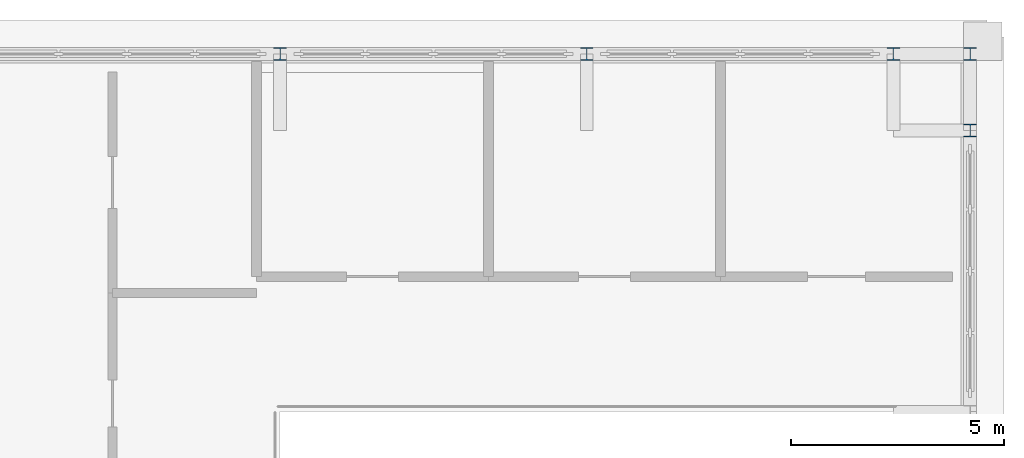
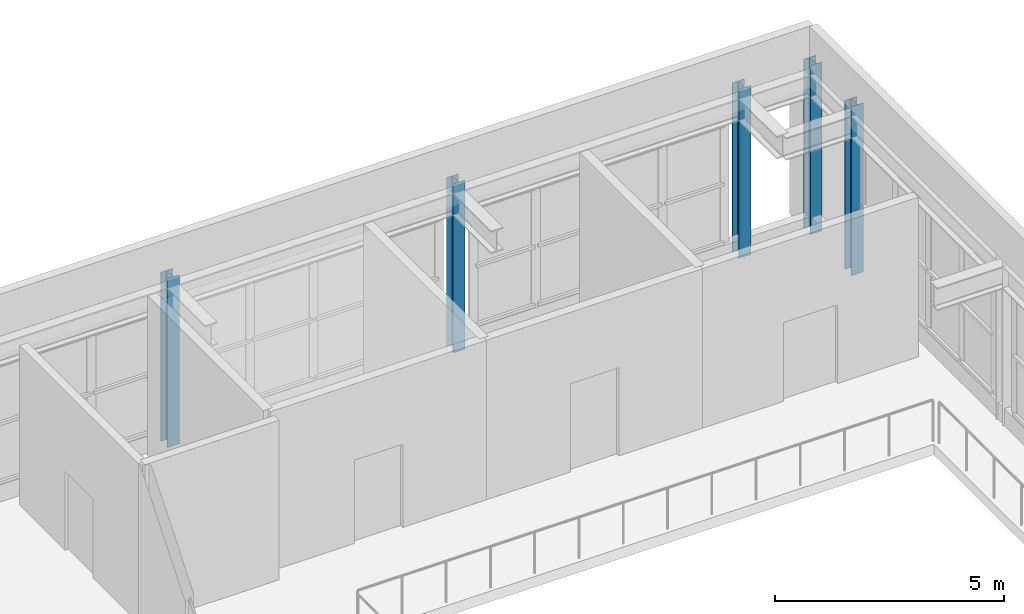
# One storey, part 4 of 18: 5 columns.
"""IFC4 building model written with IfcOpenShell, lengths in metres."""

from ifc_helpers import new_model, si_unit, direction, frame, origin, origin_2d, place, context, subcontext, project, spatial, i_section, extrude, material, material_profile, profile_set, type_object, element, save


model = new_model("IFC4")

# Units and contexts
model_context = context("Model", 3, precision=1e-05, world=origin(), true_north=direction((0.0, 1.0)))
body_context = subcontext(model_context, "Body", "Model", "MODEL_VIEW")
ifc_project = project(units=[si_unit("LENGTHUNIT", "METRE"), si_unit("AREAUNIT", "SQUARE_METRE"), si_unit("VOLUMEUNIT", "CUBIC_METRE"), si_unit("PLANEANGLEUNIT", "RADIAN"), si_unit("MASSUNIT", "GRAM", prefix="KILO")], contexts=[model_context])

# Site, building, storey
site_placement = place(None, origin())
site = spatial("IfcSite", under=ifc_project, at=site_placement, CompositionType="ELEMENT")
building_placement = place(site_placement, origin())
building = spatial("IfcBuilding", under=site, at=building_placement, Name="Mithqara Police Headquarters", CompositionType="ELEMENT")
storey_placement = place(building_placement, frame((0.0, 0.0, 30.89990234375)))
storey = spatial("IfcBuildingStorey", under=building, at=storey_placement, Name="L07", CompositionType="ELEMENT", Elevation=30.89990234375)

# Columns
ifc_material = material(Name="Steel S355JR", Category="steel")
ifc_material_profile = material_profile(ifc_material, i_section(OverallWidth=0.300048828125, OverallDepth=0.300048828125, WebThickness=0.010986328125, FlangeThickness=0.01904296875, FilletRadius=0.027099609375, at=origin_2d()), Name="HEB 300")
ifc_profile_set = profile_set([ifc_material_profile], Name="Steel S355JR")
column_type = type_object("IfcColumnType", Name="COLUMN HEB300", PredefinedType="COLUMN", material=ifc_profile_set)
for number, where, z_axis, x_axis, name in (
    (1, (168.0, 114.0, 0.0), (0.0, 0.0, 1.0), (1.0, 0.0, 0.0), "L07 Proud Command Cube Steel Column 6"),
    (2, (168.0, 115.800048828125, 0.0), (0.0, 0.0, 1.0), (1.0, 0.0, 0.0), "L07 Proud Command Cube Steel Column 7"),
    (3, (166.199951171875, 115.800048828125, 0.0), (0.0, 0.0, 1.0), (1.0, 0.0, 0.0), "L07 Proud Command Cube Steel Column 8"),
    (4, (159.0, 115.800048828125, 0.0), (0.0, 0.0, 1.0), (1.0, 0.0, 0.0), "L07 Proud Command Cube Steel Column 9"),
    (5, (151.800048828125, 115.800048828125, 0.0), (0.0, 0.0, 1.0), (1.0, 0.0, 0.0), "L07 Proud Command Cube Steel Column 10"),
):
    element("IfcColumn", number, at=place(storey_placement, frame(where, z_axis=z_axis, x_axis=x_axis)), inside=storey, type_object=column_type, Name=name, PredefinedType="COLUMN", context=body_context, shape_type="SweptSolid", body=[
        extrude(i_section(OverallWidth=0.300048828125, OverallDepth=0.300048828125, WebThickness=0.010986328125, FlangeThickness=0.01904296875, FilletRadius=0.027099609375, at=origin_2d()), origin(), (0.0, 0.0, 1.0), 4.5),
    ])

save(model, "model.ifc")
